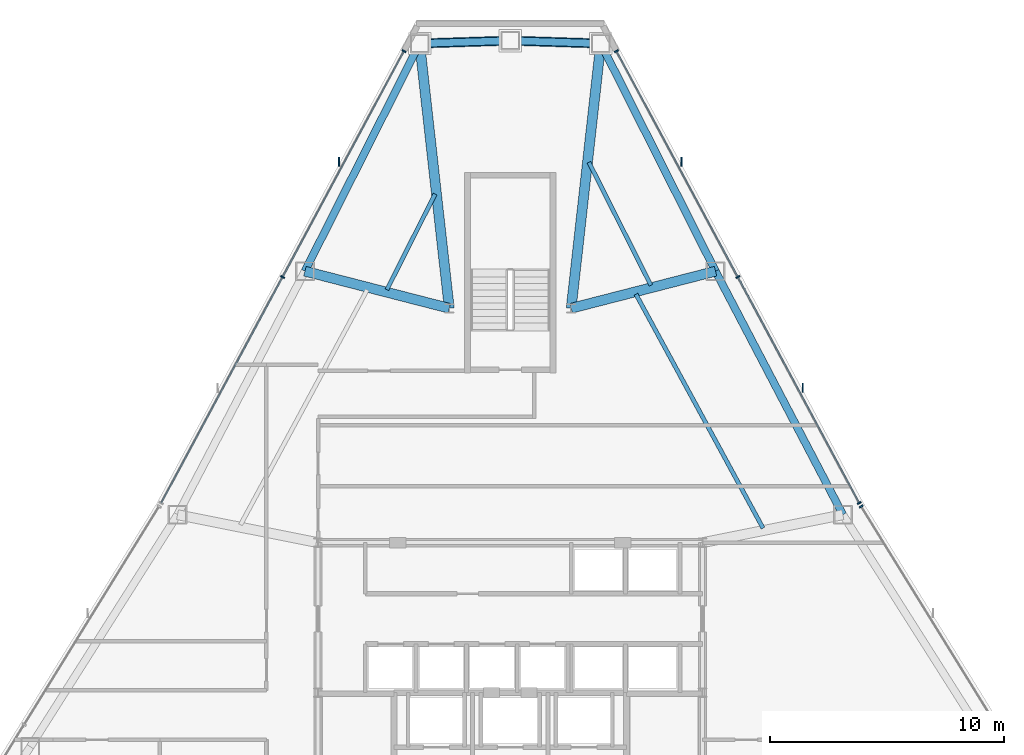
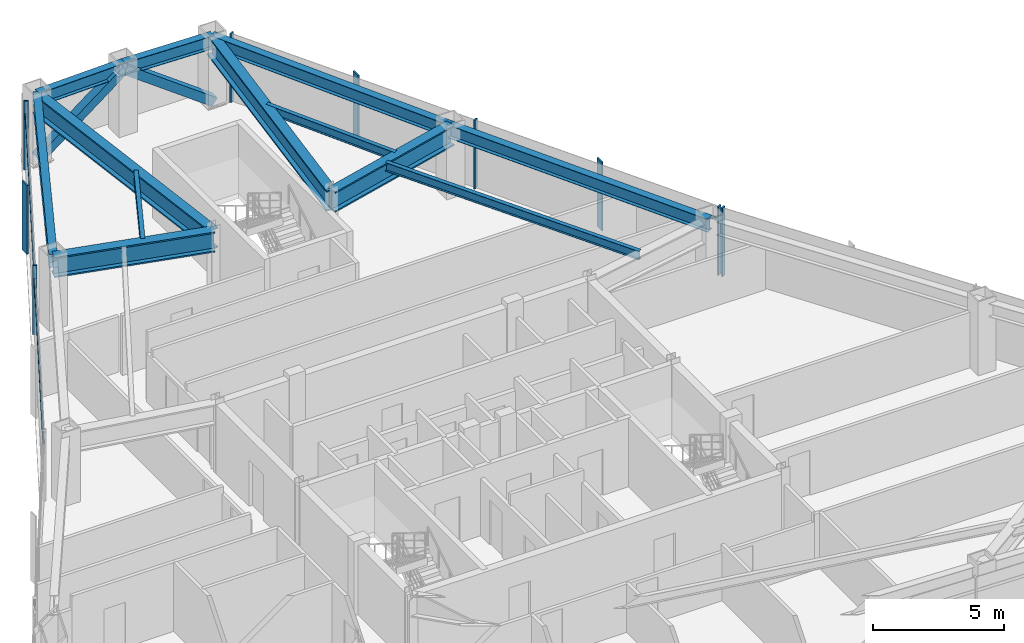
# One storey, part 8 of 13: 13 members, 12 beams, 3 elements without a shape of their own.
"""IFC4 building model written with IfcOpenShell, lengths in metres."""

from ifc_helpers import new_model, si_unit, direction, frame, origin, origin_2d, place, context, subcontext, project, spatial, rectangle, hollow_rectangle, i_section, extrude, source, transform, mapped, material, layer, layer_set, material_profile, profile_set, type_object, type_shapes, element, aggregate, save


model = new_model("IFC4")

# Units and contexts
model_context = context("Model", 3, precision=1e-05, world=origin(), true_north=direction((0.0, 1.0)))
body_context = subcontext(model_context, "Body", "Model", "MODEL_VIEW")
ifc_project = project(units=[si_unit("LENGTHUNIT", "METRE"), si_unit("AREAUNIT", "SQUARE_METRE"), si_unit("VOLUMEUNIT", "CUBIC_METRE"), si_unit("PLANEANGLEUNIT", "RADIAN"), si_unit("MASSUNIT", "GRAM", prefix="KILO")], contexts=[model_context])

# Site, building, storey
site_placement = place(None, origin())
site = spatial("IfcSite", under=ifc_project, at=site_placement, CompositionType="ELEMENT")
building_placement = place(site_placement, origin())
building = spatial("IfcBuilding", under=site, at=building_placement, Name="Varakhsha Concourse Tower", CompositionType="ELEMENT")
storey_placement = place(building_placement, frame((0.0, 0.0, 162.0)))
storey = spatial("IfcBuildingStorey", under=building, at=storey_placement, Name="L46", CompositionType="ELEMENT", Elevation=162.0)

# Beams
ifc_material_1 = material(Name="Structural Steel ASTM A992 Grade 50", Category="steel")
ifc_material_profile_1 = material_profile(ifc_material_1, i_section(OverallWidth=0.177978515625, OverallDepth=0.406982421875, WebThickness=0.008056640625, FlangeThickness=0.012939453125, at=origin_2d()), Name="W16X40")
ifc_profile_set_1 = profile_set([ifc_material_profile_1], Name="Structural Steel ASTM A992 Grade 50")
beam_type_1 = type_object("IfcBeamType", Name="BM-JST-W16X40", PredefinedType="JOIST", material=ifc_profile_set_1)
beam_1_placement = place(storey_placement, frame((36.794677734375, 46.072021484375, 3.006591796875), z_axis=(-0.450098569087, -0.892978878869, 0.0), x_axis=(0.892978878869, -0.450098569087, 0.0)))
element("IfcBeam", 1, at=beam_1_placement, inside=storey, type_object=beam_type_1, Name="BM-TJST-L46-03", PredefinedType="JOIST", context=body_context, shape_type="SweptSolid", body=[
    extrude(i_section(OverallWidth=0.177978515625, OverallDepth=0.406982421875, WebThickness=0.008056640625, FlangeThickness=0.012939453125, at=origin_2d()), origin(), (0.0, 0.0, 1.0), 4.566162109375),
])
beam_2_placement = place(storey_placement, frame((50.7841796875, 31.822021484375, 3.006591796875), z_axis=(-0.477440074464, 0.878664313202, 0.0), x_axis=(-0.878664313202, -0.477440074464, 0.0)))
element("IfcBeam", 2, at=beam_2_placement, inside=storey, type_object=beam_type_1, Name="BM-TJST-L46-17", PredefinedType="JOIST", context=body_context, shape_type="SweptSolid", body=[
    extrude(i_section(OverallWidth=0.177978515625, OverallDepth=0.406982421875, WebThickness=0.008056640625, FlangeThickness=0.012939453125, at=origin_2d()), origin(), (0.0, 0.0, 1.0), 11.355712890625),
])
beam_3_placement = place(storey_placement, frame((45.99951171875, 42.1845703125, 3.006591796875), z_axis=(-0.450121946703, 0.892967095192, 0.0), x_axis=(-0.892967095192, -0.450121946703, 0.0)))
element("IfcBeam", 3, at=beam_3_placement, inside=storey, type_object=beam_type_1, Name="BM-TJST-L46-18", PredefinedType="JOIST", context=body_context, shape_type="SweptSolid", body=[
    extrude(i_section(OverallWidth=0.177978515625, OverallDepth=0.406982421875, WebThickness=0.008056640625, FlangeThickness=0.012939453125, at=origin_2d()), origin(), (0.0, 0.0, 1.0), 5.871337890625),
])
ifc_material_profile_2 = material_profile(ifc_material_1, i_section(OverallWidth=0.423095703125, OverallDepth=0.947998046875, WebThickness=0.0380859375, FlangeThickness=0.06396484375, at=origin_2d()), Name="W36X302")
ifc_profile_set_2 = profile_set([ifc_material_profile_2], Name="Structural Steel ASTM A992 Grade 50")
beam_type_2 = type_object("IfcBeamType", Name="BM-OUTR-W36X302", PredefinedType="USERDEFINED", material=ifc_profile_set_2)
for number, where, z_axis, x_axis, name in (
    (4, (42.60009765625, 41.199951171875, 2.736083984375), (0.111112815478, 0.993807799444, 0.0), (-0.993807799444, 0.111112815478, 0.0), "L46 Radial Floor Girder 01"),
    (5, (37.39990234375, 41.199951171875, 2.736083984375), (-0.111112815478, 0.993807799444, 0.0), (-0.993807799444, -0.111112815478, 0.0), "L46 Radial Floor Girder 03"),
):
    element("IfcBeam", number, at=place(storey_placement, frame(where, z_axis=z_axis, x_axis=x_axis)), inside=storey, type_object=beam_type_2, Name=name, ObjectType="GIRDER", PredefinedType="USERDEFINED", context=body_context, shape_type="SweptSolid", body=[
        extrude(i_section(OverallWidth=0.423095703125, OverallDepth=0.947998046875, WebThickness=0.0380859375, FlangeThickness=0.06396484375, at=origin_2d()), origin(), (0.0, 0.0, 1.0), 11.3662109375),
    ])
for number, where, z_axis, x_axis, name in (
    (6, (37.39990234375, 41.199951171875, 2.736083984375), (-0.968529433349, 0.248899049289, 0.0), (-0.248899049289, -0.968529433349, 0.0), "L46 Radial Floor Girder 04"),
    (7, (42.60009765625, 41.199951171875, 2.736083984375), (0.968529433349, 0.248899049289, 0.0), (-0.248899049289, 0.968529433349, 0.0), "L46 Radial Floor Girder 18"),
):
    element("IfcBeam", number, at=place(storey_placement, frame(where, z_axis=z_axis, x_axis=x_axis)), inside=storey, type_object=beam_type_2, Name=name, ObjectType="GIRDER", PredefinedType="USERDEFINED", context=body_context, shape_type="SweptSolid", body=[
        extrude(i_section(OverallWidth=0.423095703125, OverallDepth=0.947998046875, WebThickness=0.0380859375, FlangeThickness=0.06396484375, at=origin_2d()), origin(), (0.0, 0.0, 1.0), 6.359130859375),
    ])
ifc_material_profile_3 = material_profile(ifc_material_1, i_section(OverallWidth=0.323974609375, OverallDepth=0.611083984375, WebThickness=0.012939453125, FlangeThickness=0.01904296875, at=origin_2d()), Name="W24X104")
ifc_profile_set_3 = profile_set([ifc_material_profile_3], Name="Structural Steel ASTM A992 Grade 50")
beam_type_3 = type_object("IfcBeamType", Name="BM-SPAN-W24X104", PredefinedType="SPANDREL", material=ifc_profile_set_3)
for number, where, z_axis, x_axis, name in (
    (8, (43.863037109375, 52.495849609375, 2.904541015625), (-0.999497111061, 0.031710013888, 0.0), (-0.031710013888, -0.999497111061, 0.0), "BM-SPAN-L46-01"),
    (9, (40.0, 52.618408203125, 2.904541015625), (-0.999497111061, -0.031710013888, 0.0), (0.031710013888, -0.999497111061, 0.0), "BM-SPAN-L46-02"),
):
    element("IfcBeam", number, at=place(storey_placement, frame(where, z_axis=z_axis, x_axis=x_axis)), inside=storey, type_object=beam_type_3, Name=name, PredefinedType="SPANDREL", context=body_context, shape_type="SweptSolid", body=[
        extrude(i_section(OverallWidth=0.323974609375, OverallDepth=0.611083984375, WebThickness=0.012939453125, FlangeThickness=0.01904296875, at=origin_2d()), origin(), (0.0, 0.0, 1.0), 3.864990234375),
    ])
beam_4_placement = place(storey_placement, frame((36.136962890625, 52.495849609375, 2.904541015625), z_axis=(-0.450111133231, -0.892972545906, 0.0), x_axis=(0.892972545906, -0.450111133231, 0.0)))
element("IfcBeam", 10, at=beam_4_placement, inside=storey, type_object=beam_type_3, Name="BM-SPAN-L46-03", PredefinedType="SPANDREL", context=body_context, shape_type="SweptSolid", body=[
    extrude(i_section(OverallWidth=0.323974609375, OverallDepth=0.611083984375, WebThickness=0.012939453125, FlangeThickness=0.01904296875, at=origin_2d()), origin(), (0.0, 0.0, 1.0), 10.877197265625),
])
beam_5_placement = place(storey_placement, frame((54.192138671875, 32.393798828125, 2.904541015625), z_axis=(-0.463424073091, 0.886136630819, 0.0), x_axis=(-0.886136630819, -0.463424073091, 0.0)))
element("IfcBeam", 11, at=beam_5_placement, inside=storey, type_object=beam_type_3, Name="BM-SPAN-L46-17", PredefinedType="SPANDREL", context=body_context, shape_type="SweptSolid", body=[
    extrude(i_section(OverallWidth=0.323974609375, OverallDepth=0.611083984375, WebThickness=0.012939453125, FlangeThickness=0.01904296875, at=origin_2d()), origin(), (0.0, 0.0, 1.0), 11.723876953125),
])
beam_6_placement = place(storey_placement, frame((48.759033203125, 42.78271484375, 2.904541015625), z_axis=(-0.450111133231, 0.892972545906, 0.0), x_axis=(-0.892972545906, -0.450111133231, 0.0)))
element("IfcBeam", 12, at=beam_6_placement, inside=storey, type_object=beam_type_3, Name="BM-SPAN-L46-18", PredefinedType="SPANDREL", context=body_context, shape_type="SweptSolid", body=[
    extrude(i_section(OverallWidth=0.323974609375, OverallDepth=0.611083984375, WebThickness=0.012939453125, FlangeThickness=0.01904296875, at=origin_2d()), origin(), (0.0, 0.0, 1.0), 10.877197265625),
])

# Members
ifc_material_2 = material(Name="Structural Steel ASTM A500 Grade C", Category="steel")
ifc_material_profile_4 = material_profile(ifc_material_2, hollow_rectangle(XDim=0.39990234375, YDim=0.39990234375, WallThickness=0.01611328125, at=origin_2d()), Name="HSS 400x400x16")
ifc_profile_set_4 = profile_set([ifc_material_profile_4], Name="Structural Steel ASTM A500 Grade C")
member_type_1 = type_object("IfcMemberType", Name="MB-TUBE-HSS400", PredefinedType="BRACE", material=ifc_profile_set_4)
shared_shape_1 = source(origin(), body_context, "Body", "SweptSolid", [
    extrude(hollow_rectangle(XDim=0.39990234375, YDim=0.39990234375, WallThickness=0.01611328125, at=origin_2d()), origin(), (0.0, 0.0, 1.0), 4.7666015625),
])
type_shapes(member_type_1, [shared_shape_1])
for number, where, z_axis, x_axis, name in (
    (13, (43.863037109375, 52.495849609375, 0.1201171875), (-0.810428776075, 0.025711637843, 0.585272680542), (-0.031710013888, -0.999497111061, 0.0), "L46 Wind-Corner Tube Brace B01"),
    (14, (36.136962890625, 52.495849609375, 0.1201171875), (0.810428776075, 0.025711637843, 0.585272680542), (-0.031710013888, 0.999497111061, 0.0), "L46 Wind-Corner Tube Brace B02"),
):
    element("IfcMember", number, at=place(storey_placement, frame(where, z_axis=z_axis, x_axis=x_axis)), inside=storey, type_object=member_type_1, Name=name, PredefinedType="BRACE", context=body_context, shape_type="MappedRepresentation", body=[
        mapped(shared_shape_1, transform((0.0, 0.0, 0.0), scale=1.0)),
    ])

# Curtain wall, member
ifc_material_3 = material(Name="Anodised Bronze Architectural Aluminium AA 6063-T6", Category="aluminium")
ifc_layer = layer(ifc_material_3, 0.2099609375, Name="CW-SYS-04")
ifc_layer_set = layer_set([ifc_layer], Name="Anodised Bronze Architectural Aluminium AA 6063-T6")
curtain_wall_type = type_object("IfcCurtainWallType", Name="CW-SYS-04", PredefinedType="NOTDEFINED", material=ifc_layer_set)
curtain_wall_1_placement = place(storey_placement, origin())
curtain_wall_1 = element("IfcCurtainWall", 15, at=curtain_wall_1_placement, inside=storey, type_object=curtain_wall_type, Name="L46 Crystal Curtain Wall F2", PredefinedType="NOTDEFINED")
ifc_material_profile_5 = material_profile(ifc_material_3, rectangle(XDim=0.06005859375, YDim=0.3798828125, at=origin_2d()), Name="FIN-BRZ-380")
ifc_profile_set_5 = profile_set([ifc_material_profile_5], Name="Anodised Bronze Architectural Aluminium AA 6063-T6")
member_type_2 = type_object("IfcMemberType", Name="FIN-BRZ-380", PredefinedType="USERDEFINED", material=ifc_profile_set_5)
shared_shape_2 = source(origin(), body_context, "Body", "SweptSolid", [
    extrude(rectangle(XDim=0.06005859375, YDim=0.3798828125, at=origin_2d()), origin(), (0.0, 0.0, 1.0), 3.2099609375),
])
type_shapes(member_type_2, [shared_shape_2])
member_1_placement = place(storey_placement, frame((32.698486328125, 47.44970703125, 0.0), z_axis=(0.0, 0.0, 1.0), x_axis=(1.0, 0.0, 0.0)))
member_1 = element("IfcMember", 16, at=member_1_placement, type_object=member_type_2, Name="L46 Anodised Bronze Solar Fin F2-2", ObjectType="SOLAR FIN", PredefinedType="USERDEFINED", context=body_context, shape_type="MappedRepresentation", body=[
    mapped(shared_shape_2, transform((0.0, 0.0, 0.0), scale=1.0)),
])

# Curtain wall, members
curtain_wall_2_placement = place(storey_placement, origin())
curtain_wall_2 = element("IfcCurtainWall", 17, at=curtain_wall_2_placement, inside=storey, type_object=curtain_wall_type, Name="L46 Crystal Curtain Wall F9", PredefinedType="NOTDEFINED")
member_2_placement = place(storey_placement, frame((47.301513671875, 47.44970703125, 0.0), z_axis=(0.0, 0.0, 1.0), x_axis=(1.0, 0.0, 0.0)))
member_2 = element("IfcMember", 18, at=member_2_placement, type_object=member_type_2, Name="L46 Anodised Bronze Solar Fin F9-1", ObjectType="SOLAR FIN", PredefinedType="USERDEFINED", context=body_context, shape_type="MappedRepresentation", body=[
    mapped(shared_shape_2, transform((0.0, 0.0, 0.0), scale=1.0)),
])
member_3_placement = place(storey_placement, frame((52.480712890625, 37.810791015625, 0.0), z_axis=(0.0, 0.0, 1.0), x_axis=(1.0, 0.0, 0.0)))
member_3 = element("IfcMember", 19, at=member_3_placement, type_object=member_type_2, Name="L46 Anodised Bronze Solar Fin F9-2", ObjectType="SOLAR FIN", PredefinedType="USERDEFINED", context=body_context, shape_type="MappedRepresentation", body=[
    mapped(shared_shape_2, transform((0.0, 0.0, 0.0), scale=1.0)),
])

# Member
ifc_material_profile_6 = material_profile(ifc_material_3, rectangle(XDim=0.06494140625, YDim=0.179931640625, at=origin_2d()), Name="CWM-180X65")
ifc_profile_set_6 = profile_set([ifc_material_profile_6], Name="Anodised Bronze Architectural Aluminium AA 6063-T6")
member_type_3 = type_object("IfcMemberType", Name="CWM-180X65", PredefinedType="MULLION", material=ifc_profile_set_6)
shared_shape_3 = source(origin(), body_context, "Body", "SweptSolid", [
    extrude(rectangle(XDim=0.06494140625, YDim=0.179931640625, at=origin_2d()), origin(), (0.0, 0.0, 1.0), 3.2099609375),
])
type_shapes(member_type_3, [shared_shape_3])
member_4_placement = place(storey_placement, frame((30.28955078125, 42.533203125, 0.0), z_axis=(0.0, 0.0, 1.0), x_axis=(0.473336578986, 0.880881650958, 0.0)))
member_4 = element("IfcMember", 20, at=member_4_placement, type_object=member_type_3, Name="CW-L46-F2 Mullion 01", PredefinedType="MULLION", context=body_context, shape_type="MappedRepresentation", body=[
    mapped(shared_shape_3, transform((0.0, 0.0, 0.0), scale=1.0)),
])

member_5_placement = place(storey_placement, frame((35.46875, 52.171875, 0.0), z_axis=(0.0, 0.0, 1.0), x_axis=(0.473336578986, 0.880881650958, 0.0)))
member_5 = element("IfcMember", 21, at=member_5_placement, type_object=member_type_3, Name="CW-L46-F2 Mullion 02", PredefinedType="MULLION", context=body_context, shape_type="MappedRepresentation", body=[
    mapped(shared_shape_3, transform((0.0, 0.0, 0.0), scale=1.0)),
])

# Curtain wall, member
curtain_wall_3_placement = place(storey_placement, origin())
curtain_wall_3 = element("IfcCurtainWall", 22, at=curtain_wall_3_placement, inside=storey, type_object=curtain_wall_type, Name="L46 Crystal Curtain Wall F8", PredefinedType="NOTDEFINED")
member_6_placement = place(storey_placement, frame((54.974609375, 32.74755859375, 0.0), z_axis=(0.0, 0.0, 1.0), x_axis=(0.526199082126, -0.850361409032, 0.0)))
member_6 = element("IfcMember", 23, at=member_6_placement, type_object=member_type_3, Name="CW-L46-F8 Mullion 00", PredefinedType="MULLION", context=body_context, shape_type="MappedRepresentation", body=[
    mapped(shared_shape_3, transform((0.0, 0.0, 0.0), scale=1.0)),
])
aggregate(curtain_wall_3, [member_6])

# Member
member_7_placement = place(storey_placement, frame((44.53125, 52.171875, 0.0), z_axis=(0.0, 0.0, 1.0), x_axis=(0.473336578986, -0.880881650958, 0.0)))
member_7 = element("IfcMember", 24, at=member_7_placement, type_object=member_type_3, Name="CW-L46-F9 Mullion 00", PredefinedType="MULLION", context=body_context, shape_type="MappedRepresentation", body=[
    mapped(shared_shape_3, transform((0.0, 0.0, 0.0), scale=1.0)),
])

member_8_placement = place(storey_placement, frame((49.71044921875, 42.533203125, 0.0), z_axis=(0.0, 0.0, 1.0), x_axis=(0.473336578986, -0.880881650958, 0.0)))
member_8 = element("IfcMember", 25, at=member_8_placement, type_object=member_type_3, Name="CW-L46-F9 Mullion 01", PredefinedType="MULLION", context=body_context, shape_type="MappedRepresentation", body=[
    mapped(shared_shape_3, transform((0.0, 0.0, 0.0), scale=1.0)),
])

member_9_placement = place(storey_placement, frame((54.889892578125, 32.89453125, 0.0), z_axis=(0.0, 0.0, 1.0), x_axis=(0.473336578986, -0.880881650958, 0.0)))
member_9 = element("IfcMember", 26, at=member_9_placement, type_object=member_type_3, Name="CW-L46-F9 Mullion 02", PredefinedType="MULLION", context=body_context, shape_type="MappedRepresentation", body=[
    mapped(shared_shape_3, transform((0.0, 0.0, 0.0), scale=1.0)),
])

ifc_material_profile_7 = material_profile(ifc_material_3, rectangle(XDim=0.06005859375, YDim=0.139892578125, at=origin_2d()), Name="CWT-140X60")
ifc_profile_set_7 = profile_set([ifc_material_profile_7], Name="Anodised Bronze Architectural Aluminium AA 6063-T6")
member_type_4 = type_object("IfcMemberType", Name="CWT-140X60", PredefinedType="USERDEFINED", material=ifc_profile_set_7)
shared_shape_4 = source(origin(), body_context, "Body", "SweptSolid", [
    extrude(rectangle(XDim=0.06005859375, YDim=0.139892578125, at=origin_2d()), origin(), (0.0, 0.0, 1.0), 21.88427734375),
])
type_shapes(member_type_4, [shared_shape_4])
member_10_placement = place(storey_placement, frame((25.110107421875, 32.89453125, 2.56005859375), z_axis=(0.473339245007, 0.880880218382, 0.0), x_axis=(-0.880880218382, 0.473339245007, 0.0)))
member_10 = element("IfcMember", 27, at=member_10_placement, type_object=member_type_4, Name="CW-L46-F2 Transom 01", ObjectType="TRANSOM", PredefinedType="USERDEFINED", context=body_context, shape_type="MappedRepresentation", body=[
    mapped(shared_shape_4, transform((0.0, 0.0, 0.0), scale=1.0)),
])

aggregate(curtain_wall_1, [member_4, member_5, member_10, member_1])

member_11_placement = place(storey_placement, frame((44.53125, 52.171875, 2.56005859375), z_axis=(0.473339245007, -0.880880218382, 0.0), x_axis=(0.880880218382, 0.473339245007, 0.0)))
member_11 = element("IfcMember", 28, at=member_11_placement, type_object=member_type_4, Name="CW-L46-F9 Transom 01", ObjectType="TRANSOM", PredefinedType="USERDEFINED", context=body_context, shape_type="MappedRepresentation", body=[
    mapped(shared_shape_4, transform((0.0, 0.0, 0.0), scale=1.0)),
])

aggregate(curtain_wall_2, [member_7, member_8, member_9, member_11, member_2, member_3])

save(model, "model.ifc")
